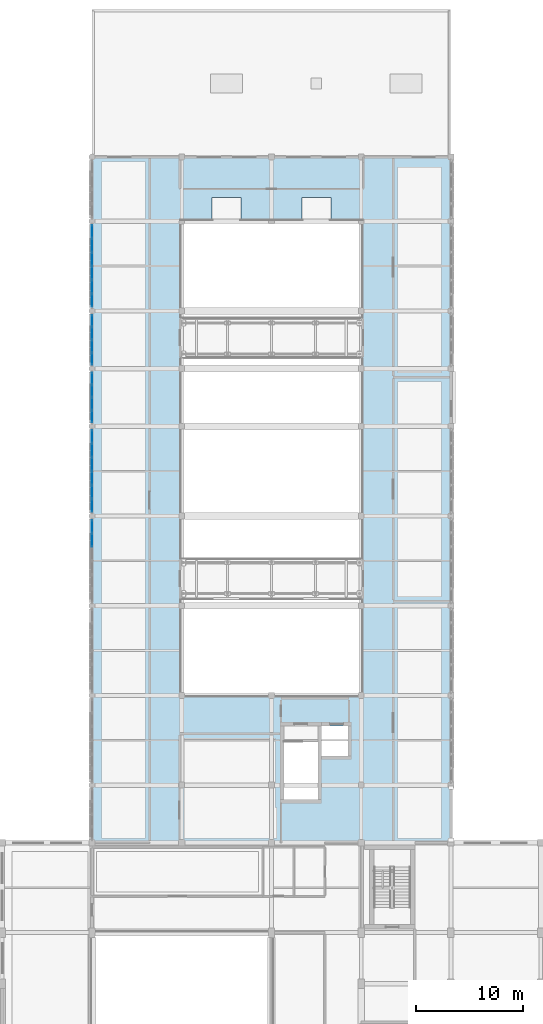
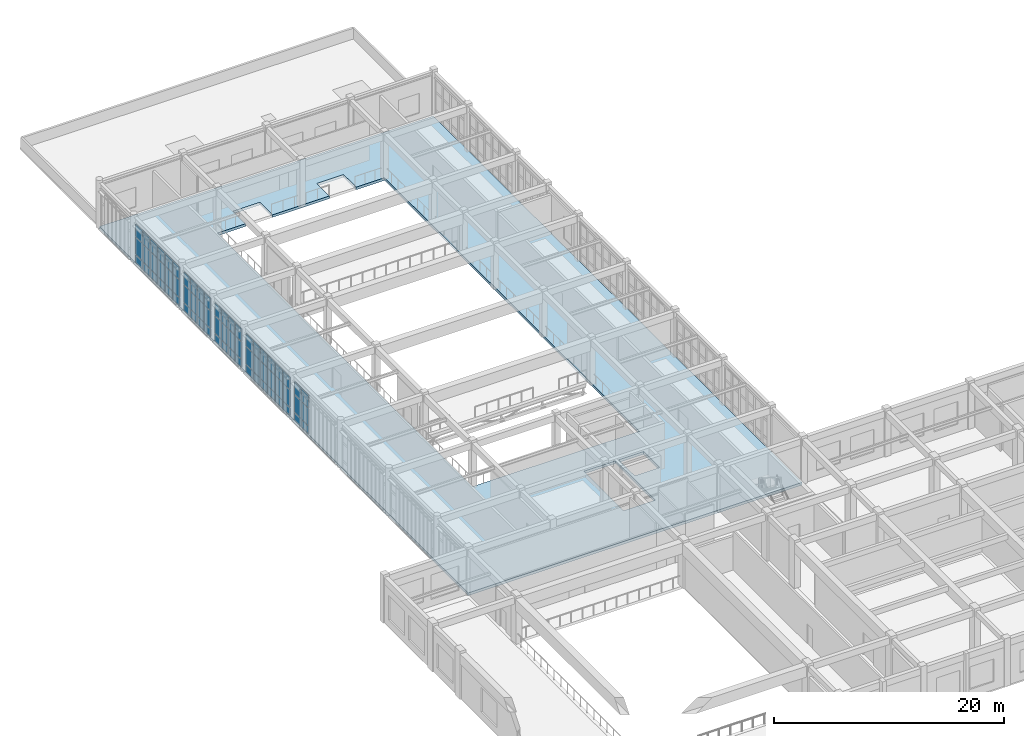
# One storey, part 47 of 77: 66 plates, 1 slab, 5 elements without a shape of their own.
"""IFC4 building model written with IfcOpenShell, lengths in metres."""

import ifcopenshell
import ifcopenshell.guid

model = None  # the IFC model being written
_history = None  # IfcOwnerHistory: only IFC2X3 demands one
_inside = {}  # id of a spatial element -> (the spatial element, [elements in it])
_under = {}  # id of a project, library or spatial element -> (it, [spatial elements below it])
_declared = {}  # id of a project -> (the project, [libraries it declares])
_typed = {}  # id of a type object -> (the type object, [elements of that type])
_made_of = {}  # id of a material, layer set ... -> (it, [elements and type objects made of it])


def new_model(schema):
    """Start an empty IFC model of exactly this schema.

    Asked for "IFC4X3", IfcOpenShell would pick the latest addendum, in which some entities
    have other attributes; the version numbers below select the first issue.
    IFC2X3 requires an IfcOwnerHistory on every rooted entity: one is made here for all.
    """
    global model, _history
    if schema == "IFC4X3":
        model = ifcopenshell.file(schema_version=(4, 3, 0, 0))
    else:
        model = ifcopenshell.file(schema=schema)
    _inside.clear()
    _under.clear()
    _declared.clear()
    _typed.clear()
    _made_of.clear()
    _history = None
    if model.schema == "IFC2X3":
        org = make("IfcOrganization", Name="unknown")
        user = make(
            "IfcPersonAndOrganization",
            ThePerson=make("IfcPerson", FamilyName="unknown"),
            TheOrganization=org,
        )
        app = make(
            "IfcApplication",
            ApplicationDeveloper=org,
            Version="unknown",
            ApplicationFullName="unknown",
            ApplicationIdentifier="unknown",
        )
        _history = make(
            "IfcOwnerHistory",
            OwningUser=user,
            OwningApplication=app,
            ChangeAction="ADDED",
            CreationDate=0,
        )
    return model


def make(cls, **values):
    """One entity of the class cls with the attributes given. An attribute that is None is left unset."""
    return model.create_entity(
        cls, **{name: value for name, value in values.items() if value is not None}
    )


def rooted(cls, **values):
    """An entity with a GlobalId (a new one), such as an element, a storey or a relation."""
    return make(cls, GlobalId=ifcopenshell.guid.new(), OwnerHistory=_history, **values)


def si_unit(unit_type, name, prefix=None):
    """IfcSIUnit, for example si_unit("LENGTHUNIT", "METRE", prefix="MILLI")."""
    return make("IfcSIUnit", UnitType=unit_type, Prefix=prefix, Name=name)


def assignment(units):
    """IfcUnitAssignment: the units of a project."""
    return None if units is None else make("IfcUnitAssignment", Units=units)


def point(xyz):
    """IfcCartesianPoint."""
    return None if xyz is None else make("IfcCartesianPoint", Coordinates=xyz)


def direction(xyz):
    """IfcDirection."""
    return None if xyz is None else make("IfcDirection", DirectionRatios=xyz)


def frame(location, z_axis=None, x_axis=None):
    """IfcAxis2Placement3D, a coordinate frame: its origin and axes. An axis left out is left unset."""
    return make(
        "IfcAxis2Placement3D",
        Location=point(location),
        Axis=direction(z_axis),
        RefDirection=direction(x_axis),
    )


def frame_2d(location, x_axis=None):
    """IfcAxis2Placement2D, a coordinate frame in the plane: its origin and x axis."""
    return make(
        "IfcAxis2Placement2D", Location=point(location), RefDirection=direction(x_axis)
    )


def origin():
    """The frame at (0, 0, 0) with its axes left unset."""
    return frame((0.0, 0.0, 0.0))


def origin_2d():
    """The frame at (0, 0) in the plane with its x axis left unset."""
    return frame_2d((0.0, 0.0))


def place(relative_to, where):
    """IfcLocalPlacement: puts the frame where relative to a parent placement (None: the world)."""
    return make(
        "IfcLocalPlacement", PlacementRelTo=relative_to, RelativePlacement=where
    )


def context(
    kind, dimensions, precision=None, world=None, true_north=None, identifier=None
):
    """IfcGeometricRepresentationContext, for example the 3D "Model" context."""
    return make(
        "IfcGeometricRepresentationContext",
        ContextIdentifier=identifier,
        ContextType=kind,
        CoordinateSpaceDimension=dimensions,
        Precision=precision,
        WorldCoordinateSystem=world,
        TrueNorth=true_north,
    )


def subcontext(parent, identifier, kind, view, scale=None):
    """IfcGeometricRepresentationSubContext, for example "Body" below "Model"."""
    return make(
        "IfcGeometricRepresentationSubContext",
        ContextIdentifier=identifier,
        ContextType=kind,
        ParentContext=parent,
        TargetScale=scale,
        TargetView=view,
    )


def project(units=None, contexts=None):
    """IfcProject with its units and contexts."""
    return rooted(
        "IfcProject",
        Name="project",
        RepresentationContexts=contexts,
        UnitsInContext=assignment(units),
    )


def spatial(cls, under=None, at=None, **own):
    """A site, building, storey or space (cls), placed at a placement, below another one or the project."""
    s = rooted(cls, ObjectPlacement=at, **own)
    if under is not None:
        _under.setdefault(under.id(), (under, []))[1].append(s)
    return s


def polyline(points):
    """IfcPolyline through the points."""
    return make("IfcPolyline", Points=[point(p) for p in points])


def profile(cls, at=None, kind="AREA", **sizes):
    """A parametric profile (cls). Its sizes go by their IFC names, for example OverallWidth=200.0."""
    return make(cls, ProfileType=kind, Position=at, **sizes)


def rectangle(**sizes):
    """IfcRectangleProfileDef."""
    return profile("IfcRectangleProfileDef", **sizes)


def outline(outer, holes=None, kind="AREA"):
    """IfcArbitraryClosedProfileDef: a profile drawn as a closed curve; with holes, ...WithVoids."""
    if holes is None:
        return make("IfcArbitraryClosedProfileDef", ProfileType=kind, OuterCurve=outer)
    return make(
        "IfcArbitraryProfileDefWithVoids",
        ProfileType=kind,
        OuterCurve=outer,
        InnerCurves=holes,
    )


def extrude(swept, where, along, depth):
    """IfcExtrudedAreaSolid: the profile swept, set in the frame where, extruded along a direction by depth."""
    return make(
        "IfcExtrudedAreaSolid",
        SweptArea=swept,
        Position=where,
        ExtrudedDirection=direction(along),
        Depth=depth,
    )


def shape(context_of_items, identifier, shape_type, items):
    """IfcShapeRepresentation: the items that make up one representation, for example the "Body"."""
    return make(
        "IfcShapeRepresentation",
        ContextOfItems=context_of_items,
        RepresentationIdentifier=identifier,
        RepresentationType=shape_type,
        Items=items,
    )


def material(Name=None, Category=None):
    """IfcMaterial."""
    return make("IfcMaterial", Name=Name, Category=Category)


def layer(
    of_material, thickness, ventilated=None, Name=None, Category=None, Priority=None
):
    """IfcMaterialLayer: one layer of a wall or slab, of a material (None: an air gap)."""
    return make(
        "IfcMaterialLayer",
        Material=of_material,
        LayerThickness=thickness,
        IsVentilated=ventilated,
        Name=Name,
        Category=Category,
        Priority=Priority,
    )


def layer_set(layers, Name=None):
    """IfcMaterialLayerSet."""
    return make("IfcMaterialLayerSet", MaterialLayers=layers, LayerSetName=Name)


def made_of(thing, what):
    """Note that an element or type object is made of a material, layer set ...; save() writes the relation."""
    if what is not None:
        _made_of.setdefault(what.id(), (what, []))[1].append(thing)
    return thing


def type_object(cls, material=None, **own):
    """A type object (cls), such as IfcWallType, which elements share."""
    return made_of(rooted(cls, **own), material)


def element(
    cls,
    number,
    at=None,
    inside=None,
    cuts=None,
    type_object=None,
    material=None,
    context=None,
    identifier="Body",
    shape_type=None,
    held_by="IfcProductDefinitionShape",
    body=None,
    shapes=None,
    **own,
):
    """One element of the class cls, such as IfcWall. Its Tag is "e" and its number.

    at: its placement. inside: the storey or other place that contains it. cuts: it is an
    opening in that element (IfcRelVoidsElement). A single representation is given by context,
    identifier, shape_type and body (its items); several are given by shapes. held_by: the class
    of the entity that holds the representations. save() writes the other relations.
    """
    e = rooted(cls, Tag="e%d" % number, ObjectPlacement=at, **own)
    if body is not None:
        shapes = [shape(context, identifier, shape_type, body)]
    if shapes is not None:
        e.Representation = make(held_by, Representations=shapes)
    if inside is not None:
        _inside.setdefault(inside.id(), (inside, []))[1].append(e)
    if cuts is not None:
        rooted(
            "IfcRelVoidsElement", RelatingBuildingElement=cuts, RelatedOpeningElement=e
        )
    if type_object is not None:
        _typed.setdefault(type_object.id(), (type_object, []))[1].append(e)
    return made_of(e, material)


def aggregate(whole, parts):
    """IfcRelAggregates: a whole, such as a stair, and the parts it consists of."""
    return rooted("IfcRelAggregates", RelatingObject=whole, RelatedObjects=parts)


def save(model, path):
    """Write the relations noted so far, then the file.

    IfcRelAggregates (storeys below a building ...), IfcRelContainedInSpatialStructure (elements
    in a storey), IfcRelDefinesByType, IfcRelAssociatesMaterial and IfcRelDeclares: one each for
    every whole, place, type object, material and project.
    """
    for whole, parts in _under.values():
        aggregate(whole, parts)
    for where, things in _inside.values():
        rooted(
            "IfcRelContainedInSpatialStructure",
            RelatedElements=things,
            RelatingStructure=where,
        )
    for kind, things in _typed.values():
        rooted("IfcRelDefinesByType", RelatedObjects=things, RelatingType=kind)
    for what, things in _made_of.values():
        rooted("IfcRelAssociatesMaterial", RelatedObjects=things, RelatingMaterial=what)
    for by, libraries in _declared.values():
        rooted("IfcRelDeclares", RelatingContext=by, RelatedDefinitions=libraries)
    model.write(path)


model = new_model("IFC4")

# Units and contexts
model_context = context("Model", 3, precision=1e-05, world=origin(), true_north=direction((0.0, 1.0)))
body_context = subcontext(model_context, "Body", "Model", "MODEL_VIEW")
ifc_project = project(units=[si_unit("LENGTHUNIT", "METRE"), si_unit("AREAUNIT", "SQUARE_METRE"), si_unit("VOLUMEUNIT", "CUBIC_METRE"), si_unit("PLANEANGLEUNIT", "RADIAN"), si_unit("MASSUNIT", "GRAM", prefix="KILO")], contexts=[model_context])

# Site, building, storey
site_placement = place(None, origin())
site = spatial("IfcSite", under=ifc_project, at=site_placement, CompositionType="ELEMENT")
building_placement = place(site_placement, origin())
building = spatial("IfcBuilding", under=site, at=building_placement, Name="Krzemoval Escarpment Law Courts", CompositionType="ELEMENT")
storey_placement = place(building_placement, frame((0.0, 0.0, 15.300048828125)))
storey = spatial("IfcBuildingStorey", under=building, at=storey_placement, Name="L03", CompositionType="ELEMENT", Elevation=15.300048828125)

# Curtain wall, plates
ifc_material_1 = material(Name="Aluminium 6063-T6", Category="aluminium")
ifc_layer_1 = layer(ifc_material_1, 0.280029296875)
ifc_layer_set_1 = layer_set([ifc_layer_1], Name="Aluminium 6063-T6")
curtain_wall_type = type_object("IfcCurtainWallType", Name="CW-HALL-5100", PredefinedType="USERDEFINED", material=ifc_layer_set_1)
curtain_wall_1_placement = place(storey_placement, origin())
curtain_wall_1 = element("IfcCurtainWall", 1, at=curtain_wall_1_placement, inside=storey, type_object=curtain_wall_type, Name="Unitised Curtain Wall FCW-L03-099", ObjectType="UNITISED_CURTAIN_WALL", PredefinedType="USERDEFINED")
ifc_material_2 = material(Name="Triple Glazing IGU", Category="glass")
ifc_layer_2 = layer(ifc_material_2, 0.053955078125)
ifc_layer_set_2 = layer_set([ifc_layer_2], Name="Triple Glazing IGU")
plate_type = type_object("IfcPlateType", Name="CWP-GLZ-54", PredefinedType="CURTAIN_PANEL", material=ifc_layer_set_2)
plate_1_placement = place(storey_placement, frame((8.39990234375, 63.75, 0.0849609375), z_axis=(0.0, 0.0, 1.0), x_axis=(0.0, 1.0, 0.0)))
plate_1 = element("IfcPlate", 2, at=plate_1_placement, type_object=plate_type, Name="FCW-L03-099 panel 5.1", PredefinedType="CURTAIN_PANEL", context=body_context, shape_type="SweptSolid", body=[
    extrude(rectangle(XDim=1.215087890625, YDim=0.053955078125, at=origin_2d()), origin(), (0.0, 0.0, 1.0), 0.7724609375),
])
plate_2_placement = place(storey_placement, frame((8.39990234375, 63.75, 0.9423828125), z_axis=(0.0, 0.0, 1.0), x_axis=(0.0, 1.0, 0.0)))
plate_2 = element("IfcPlate", 3, at=plate_2_placement, type_object=plate_type, Name="FCW-L03-099 panel 5.2", PredefinedType="CURTAIN_PANEL", context=body_context, shape_type="SweptSolid", body=[
    extrude(rectangle(XDim=1.215087890625, YDim=0.053955078125, at=origin_2d()), origin(), (0.0, 0.0, 1.0), 1.81494140625),
])
plate_3_placement = place(storey_placement, frame((8.39990234375, 63.75, 2.842529296875), z_axis=(0.0, 0.0, 1.0), x_axis=(0.0, 1.0, 0.0)))
plate_3 = element("IfcPlate", 4, at=plate_3_placement, type_object=plate_type, Name="FCW-L03-099 panel 5.3", PredefinedType="CURTAIN_PANEL", context=body_context, shape_type="SweptSolid", body=[
    extrude(rectangle(XDim=1.215087890625, YDim=0.053955078125, at=origin_2d()), origin(), (0.0, 0.0, 1.0), 1.3125),
])
plate_4_placement = place(storey_placement, frame((8.39990234375, 65.02880859375, 0.0849609375), z_axis=(0.0, 0.0, 1.0), x_axis=(0.0, 1.0, 0.0)))
plate_4 = element("IfcPlate", 5, at=plate_4_placement, type_object=plate_type, Name="FCW-L03-099 panel 6.1", PredefinedType="CURTAIN_PANEL", context=body_context, shape_type="SweptSolid", body=[
    extrude(rectangle(XDim=1.172607421875, YDim=0.053955078125, at=origin_2d()), origin(), (0.0, 0.0, 1.0), 0.7724609375),
])
plate_5_placement = place(storey_placement, frame((8.39990234375, 65.02880859375, 0.9423828125), z_axis=(0.0, 0.0, 1.0), x_axis=(0.0, 1.0, 0.0)))
plate_5 = element("IfcPlate", 6, at=plate_5_placement, type_object=plate_type, Name="FCW-L03-099 panel 6.2", PredefinedType="CURTAIN_PANEL", context=body_context, shape_type="SweptSolid", body=[
    extrude(rectangle(XDim=1.172607421875, YDim=0.053955078125, at=origin_2d()), origin(), (0.0, 0.0, 1.0), 1.81494140625),
])
plate_6_placement = place(storey_placement, frame((8.39990234375, 65.02880859375, 2.842529296875), z_axis=(0.0, 0.0, 1.0), x_axis=(0.0, 1.0, 0.0)))
plate_6 = element("IfcPlate", 7, at=plate_6_placement, type_object=plate_type, Name="FCW-L03-099 panel 6.3", PredefinedType="CURTAIN_PANEL", context=body_context, shape_type="SweptSolid", body=[
    extrude(rectangle(XDim=1.172607421875, YDim=0.053955078125, at=origin_2d()), origin(), (0.0, 0.0, 1.0), 1.3125),
])
aggregate(curtain_wall_1, [plate_1, plate_2, plate_3, plate_4, plate_5, plate_6])

curtain_wall_2_placement = place(storey_placement, origin())
curtain_wall_2 = element("IfcCurtainWall", 8, at=curtain_wall_2_placement, inside=storey, type_object=curtain_wall_type, Name="Unitised Curtain Wall FCW-L03-100", ObjectType="UNITISED_CURTAIN_WALL", PredefinedType="USERDEFINED")
plate_7_placement = place(storey_placement, frame((8.39990234375, 66.97119140625, 0.0849609375), z_axis=(0.0, 0.0, 1.0), x_axis=(0.0, 1.0, 0.0)))
plate_7 = element("IfcPlate", 9, at=plate_7_placement, type_object=plate_type, Name="FCW-L03-100 panel 1.1", PredefinedType="CURTAIN_PANEL", context=body_context, shape_type="SweptSolid", body=[
    extrude(rectangle(XDim=1.172607421875, YDim=0.053955078125, at=origin_2d()), origin(), (0.0, 0.0, 1.0), 0.7724609375),
])
plate_8_placement = place(storey_placement, frame((8.39990234375, 66.97119140625, 0.9423828125), z_axis=(0.0, 0.0, 1.0), x_axis=(0.0, 1.0, 0.0)))
plate_8 = element("IfcPlate", 10, at=plate_8_placement, type_object=plate_type, Name="FCW-L03-100 panel 1.2", PredefinedType="CURTAIN_PANEL", context=body_context, shape_type="SweptSolid", body=[
    extrude(rectangle(XDim=1.172607421875, YDim=0.053955078125, at=origin_2d()), origin(), (0.0, 0.0, 1.0), 1.81494140625),
])
plate_9_placement = place(storey_placement, frame((8.39990234375, 66.97119140625, 2.842529296875), z_axis=(0.0, 0.0, 1.0), x_axis=(0.0, 1.0, 0.0)))
plate_9 = element("IfcPlate", 11, at=plate_9_placement, type_object=plate_type, Name="FCW-L03-100 panel 1.3", PredefinedType="CURTAIN_PANEL", context=body_context, shape_type="SweptSolid", body=[
    extrude(rectangle(XDim=1.172607421875, YDim=0.053955078125, at=origin_2d()), origin(), (0.0, 0.0, 1.0), 1.3125),
])
plate_10_placement = place(storey_placement, frame((8.39990234375, 68.25, 0.0849609375), z_axis=(0.0, 0.0, 1.0), x_axis=(0.0, 1.0, 0.0)))
plate_10 = element("IfcPlate", 12, at=plate_10_placement, type_object=plate_type, Name="FCW-L03-100 panel 2.1", PredefinedType="CURTAIN_PANEL", context=body_context, shape_type="SweptSolid", body=[
    extrude(rectangle(XDim=1.215087890625, YDim=0.053955078125, at=origin_2d()), origin(), (0.0, 0.0, 1.0), 0.7724609375),
])
plate_11_placement = place(storey_placement, frame((8.39990234375, 68.25, 0.9423828125), z_axis=(0.0, 0.0, 1.0), x_axis=(0.0, 1.0, 0.0)))
plate_11 = element("IfcPlate", 13, at=plate_11_placement, type_object=plate_type, Name="FCW-L03-100 panel 2.2", PredefinedType="CURTAIN_PANEL", context=body_context, shape_type="SweptSolid", body=[
    extrude(rectangle(XDim=1.215087890625, YDim=0.053955078125, at=origin_2d()), origin(), (0.0, 0.0, 1.0), 1.81494140625),
])
plate_12_placement = place(storey_placement, frame((8.39990234375, 68.25, 2.842529296875), z_axis=(0.0, 0.0, 1.0), x_axis=(0.0, 1.0, 0.0)))
plate_12 = element("IfcPlate", 14, at=plate_12_placement, type_object=plate_type, Name="FCW-L03-100 panel 2.3", PredefinedType="CURTAIN_PANEL", context=body_context, shape_type="SweptSolid", body=[
    extrude(rectangle(XDim=1.215087890625, YDim=0.053955078125, at=origin_2d()), origin(), (0.0, 0.0, 1.0), 1.3125),
])
plate_13_placement = place(storey_placement, frame((8.39990234375, 69.550048828125, 0.0849609375), z_axis=(0.0, 0.0, 1.0), x_axis=(0.0, 1.0, 0.0)))
plate_13 = element("IfcPlate", 15, at=plate_13_placement, type_object=plate_type, Name="FCW-L03-100 panel 3.1", PredefinedType="CURTAIN_PANEL", context=body_context, shape_type="SweptSolid", body=[
    extrude(rectangle(XDim=1.215087890625, YDim=0.053955078125, at=origin_2d()), origin(), (0.0, 0.0, 1.0), 0.7724609375),
])
plate_14_placement = place(storey_placement, frame((8.39990234375, 69.550048828125, 0.9423828125), z_axis=(0.0, 0.0, 1.0), x_axis=(0.0, 1.0, 0.0)))
plate_14 = element("IfcPlate", 16, at=plate_14_placement, type_object=plate_type, Name="FCW-L03-100 panel 3.2", PredefinedType="CURTAIN_PANEL", context=body_context, shape_type="SweptSolid", body=[
    extrude(rectangle(XDim=1.215087890625, YDim=0.053955078125, at=origin_2d()), origin(), (0.0, 0.0, 1.0), 1.81494140625),
])
plate_15_placement = place(storey_placement, frame((8.39990234375, 69.550048828125, 2.842529296875), z_axis=(0.0, 0.0, 1.0), x_axis=(0.0, 1.0, 0.0)))
plate_15 = element("IfcPlate", 17, at=plate_15_placement, type_object=plate_type, Name="FCW-L03-100 panel 3.3", PredefinedType="CURTAIN_PANEL", context=body_context, shape_type="SweptSolid", body=[
    extrude(rectangle(XDim=1.215087890625, YDim=0.053955078125, at=origin_2d()), origin(), (0.0, 0.0, 1.0), 1.3125),
])
plate_16_placement = place(storey_placement, frame((8.39990234375, 70.85009765625, 0.0849609375), z_axis=(0.0, 0.0, 1.0), x_axis=(0.0, 1.0, 0.0)))
plate_16 = element("IfcPlate", 18, at=plate_16_placement, type_object=plate_type, Name="FCW-L03-100 panel 4.1", PredefinedType="CURTAIN_PANEL", context=body_context, shape_type="SweptSolid", body=[
    extrude(rectangle(XDim=1.215087890625, YDim=0.053955078125, at=origin_2d()), origin(), (0.0, 0.0, 1.0), 0.7724609375),
])
plate_17_placement = place(storey_placement, frame((8.39990234375, 70.85009765625, 0.9423828125), z_axis=(0.0, 0.0, 1.0), x_axis=(0.0, 1.0, 0.0)))
plate_17 = element("IfcPlate", 19, at=plate_17_placement, type_object=plate_type, Name="FCW-L03-100 panel 4.2", PredefinedType="CURTAIN_PANEL", context=body_context, shape_type="SweptSolid", body=[
    extrude(rectangle(XDim=1.215087890625, YDim=0.053955078125, at=origin_2d()), origin(), (0.0, 0.0, 1.0), 1.81494140625),
])
plate_18_placement = place(storey_placement, frame((8.39990234375, 70.85009765625, 2.842529296875), z_axis=(0.0, 0.0, 1.0), x_axis=(0.0, 1.0, 0.0)))
plate_18 = element("IfcPlate", 20, at=plate_18_placement, type_object=plate_type, Name="FCW-L03-100 panel 4.3", PredefinedType="CURTAIN_PANEL", context=body_context, shape_type="SweptSolid", body=[
    extrude(rectangle(XDim=1.215087890625, YDim=0.053955078125, at=origin_2d()), origin(), (0.0, 0.0, 1.0), 1.3125),
])
plate_19_placement = place(storey_placement, frame((8.39990234375, 72.14990234375, 0.0849609375), z_axis=(0.0, 0.0, 1.0), x_axis=(0.0, 1.0, 0.0)))
plate_19 = element("IfcPlate", 21, at=plate_19_placement, type_object=plate_type, Name="FCW-L03-100 panel 5.1", PredefinedType="CURTAIN_PANEL", context=body_context, shape_type="SweptSolid", body=[
    extrude(rectangle(XDim=1.215087890625, YDim=0.053955078125, at=origin_2d()), origin(), (0.0, 0.0, 1.0), 0.7724609375),
])
plate_20_placement = place(storey_placement, frame((8.39990234375, 72.14990234375, 0.9423828125), z_axis=(0.0, 0.0, 1.0), x_axis=(0.0, 1.0, 0.0)))
plate_20 = element("IfcPlate", 22, at=plate_20_placement, type_object=plate_type, Name="FCW-L03-100 panel 5.2", PredefinedType="CURTAIN_PANEL", context=body_context, shape_type="SweptSolid", body=[
    extrude(rectangle(XDim=1.215087890625, YDim=0.053955078125, at=origin_2d()), origin(), (0.0, 0.0, 1.0), 1.81494140625),
])
plate_21_placement = place(storey_placement, frame((8.39990234375, 72.14990234375, 2.842529296875), z_axis=(0.0, 0.0, 1.0), x_axis=(0.0, 1.0, 0.0)))
plate_21 = element("IfcPlate", 23, at=plate_21_placement, type_object=plate_type, Name="FCW-L03-100 panel 5.3", PredefinedType="CURTAIN_PANEL", context=body_context, shape_type="SweptSolid", body=[
    extrude(rectangle(XDim=1.215087890625, YDim=0.053955078125, at=origin_2d()), origin(), (0.0, 0.0, 1.0), 1.3125),
])
plate_22_placement = place(storey_placement, frame((8.39990234375, 73.4287109375, 0.0849609375), z_axis=(0.0, 0.0, 1.0), x_axis=(0.0, 1.0, 0.0)))
plate_22 = element("IfcPlate", 24, at=plate_22_placement, type_object=plate_type, Name="FCW-L03-100 panel 6.1", PredefinedType="CURTAIN_PANEL", context=body_context, shape_type="SweptSolid", body=[
    extrude(rectangle(XDim=1.172607421875, YDim=0.053955078125, at=origin_2d()), origin(), (0.0, 0.0, 1.0), 0.7724609375),
])
plate_23_placement = place(storey_placement, frame((8.39990234375, 73.4287109375, 0.9423828125), z_axis=(0.0, 0.0, 1.0), x_axis=(0.0, 1.0, 0.0)))
plate_23 = element("IfcPlate", 25, at=plate_23_placement, type_object=plate_type, Name="FCW-L03-100 panel 6.2", PredefinedType="CURTAIN_PANEL", context=body_context, shape_type="SweptSolid", body=[
    extrude(rectangle(XDim=1.172607421875, YDim=0.053955078125, at=origin_2d()), origin(), (0.0, 0.0, 1.0), 1.81494140625),
])
plate_24_placement = place(storey_placement, frame((8.39990234375, 73.4287109375, 2.842529296875), z_axis=(0.0, 0.0, 1.0), x_axis=(0.0, 1.0, 0.0)))
plate_24 = element("IfcPlate", 26, at=plate_24_placement, type_object=plate_type, Name="FCW-L03-100 panel 6.3", PredefinedType="CURTAIN_PANEL", context=body_context, shape_type="SweptSolid", body=[
    extrude(rectangle(XDim=1.172607421875, YDim=0.053955078125, at=origin_2d()), origin(), (0.0, 0.0, 1.0), 1.3125),
])
aggregate(curtain_wall_2, [plate_7, plate_8, plate_9, plate_10, plate_11, plate_12, plate_13, plate_14, plate_15, plate_16, plate_17, plate_18, plate_19, plate_20, plate_21, plate_22, plate_23, plate_24])

curtain_wall_3_placement = place(storey_placement, origin())
curtain_wall_3 = element("IfcCurtainWall", 27, at=curtain_wall_3_placement, inside=storey, type_object=curtain_wall_type, Name="Unitised Curtain Wall FCW-L03-101", ObjectType="UNITISED_CURTAIN_WALL", PredefinedType="USERDEFINED")
plate_25_placement = place(storey_placement, frame((8.39990234375, 75.3212890625, 0.0849609375), z_axis=(0.0, 0.0, 1.0), x_axis=(0.0, 1.0, 0.0)))
plate_25 = element("IfcPlate", 28, at=plate_25_placement, type_object=plate_type, Name="FCW-L03-101 panel 1.1", PredefinedType="CURTAIN_PANEL", context=body_context, shape_type="SweptSolid", body=[
    extrude(rectangle(XDim=1.072509765625, YDim=0.053955078125, at=origin_2d()), origin(), (0.0, 0.0, 1.0), 0.7724609375),
])
plate_26_placement = place(storey_placement, frame((8.39990234375, 75.3212890625, 0.9423828125), z_axis=(0.0, 0.0, 1.0), x_axis=(0.0, 1.0, 0.0)))
plate_26 = element("IfcPlate", 29, at=plate_26_placement, type_object=plate_type, Name="FCW-L03-101 panel 1.2", PredefinedType="CURTAIN_PANEL", context=body_context, shape_type="SweptSolid", body=[
    extrude(rectangle(XDim=1.072509765625, YDim=0.053955078125, at=origin_2d()), origin(), (0.0, 0.0, 1.0), 1.81494140625),
])
plate_27_placement = place(storey_placement, frame((8.39990234375, 75.3212890625, 2.842529296875), z_axis=(0.0, 0.0, 1.0), x_axis=(0.0, 1.0, 0.0)))
plate_27 = element("IfcPlate", 30, at=plate_27_placement, type_object=plate_type, Name="FCW-L03-101 panel 1.3", PredefinedType="CURTAIN_PANEL", context=body_context, shape_type="SweptSolid", body=[
    extrude(rectangle(XDim=1.072509765625, YDim=0.053955078125, at=origin_2d()), origin(), (0.0, 0.0, 1.0), 1.3125),
])
plate_28_placement = place(storey_placement, frame((8.39990234375, 76.5, 0.0849609375), z_axis=(0.0, 0.0, 1.0), x_axis=(0.0, 1.0, 0.0)))
plate_28 = element("IfcPlate", 31, at=plate_28_placement, type_object=plate_type, Name="FCW-L03-101 panel 2.1", PredefinedType="CURTAIN_PANEL", context=body_context, shape_type="SweptSolid", body=[
    extrude(rectangle(XDim=1.114990234375, YDim=0.053955078125, at=origin_2d()), origin(), (0.0, 0.0, 1.0), 0.7724609375),
])
plate_29_placement = place(storey_placement, frame((8.39990234375, 76.5, 0.9423828125), z_axis=(0.0, 0.0, 1.0), x_axis=(0.0, 1.0, 0.0)))
plate_29 = element("IfcPlate", 32, at=plate_29_placement, type_object=plate_type, Name="FCW-L03-101 panel 2.2", PredefinedType="CURTAIN_PANEL", context=body_context, shape_type="SweptSolid", body=[
    extrude(rectangle(XDim=1.114990234375, YDim=0.053955078125, at=origin_2d()), origin(), (0.0, 0.0, 1.0), 1.81494140625),
])
plate_30_placement = place(storey_placement, frame((8.39990234375, 76.5, 2.842529296875), z_axis=(0.0, 0.0, 1.0), x_axis=(0.0, 1.0, 0.0)))
plate_30 = element("IfcPlate", 33, at=plate_30_placement, type_object=plate_type, Name="FCW-L03-101 panel 2.3", PredefinedType="CURTAIN_PANEL", context=body_context, shape_type="SweptSolid", body=[
    extrude(rectangle(XDim=1.114990234375, YDim=0.053955078125, at=origin_2d()), origin(), (0.0, 0.0, 1.0), 1.3125),
])
plate_31_placement = place(storey_placement, frame((8.39990234375, 77.699951171875, 0.0849609375), z_axis=(0.0, 0.0, 1.0), x_axis=(0.0, 1.0, 0.0)))
plate_31 = element("IfcPlate", 34, at=plate_31_placement, type_object=plate_type, Name="FCW-L03-101 panel 3.1", PredefinedType="CURTAIN_PANEL", context=body_context, shape_type="SweptSolid", body=[
    extrude(rectangle(XDim=1.114990234375, YDim=0.053955078125, at=origin_2d()), origin(), (0.0, 0.0, 1.0), 0.7724609375),
])
plate_32_placement = place(storey_placement, frame((8.39990234375, 77.699951171875, 0.9423828125), z_axis=(0.0, 0.0, 1.0), x_axis=(0.0, 1.0, 0.0)))
plate_32 = element("IfcPlate", 35, at=plate_32_placement, type_object=plate_type, Name="FCW-L03-101 panel 3.2", PredefinedType="CURTAIN_PANEL", context=body_context, shape_type="SweptSolid", body=[
    extrude(rectangle(XDim=1.114990234375, YDim=0.053955078125, at=origin_2d()), origin(), (0.0, 0.0, 1.0), 1.81494140625),
])
plate_33_placement = place(storey_placement, frame((8.39990234375, 77.699951171875, 2.842529296875), z_axis=(0.0, 0.0, 1.0), x_axis=(0.0, 1.0, 0.0)))
plate_33 = element("IfcPlate", 36, at=plate_33_placement, type_object=plate_type, Name="FCW-L03-101 panel 3.3", PredefinedType="CURTAIN_PANEL", context=body_context, shape_type="SweptSolid", body=[
    extrude(rectangle(XDim=1.114990234375, YDim=0.053955078125, at=origin_2d()), origin(), (0.0, 0.0, 1.0), 1.3125),
])
plate_34_placement = place(storey_placement, frame((8.39990234375, 78.878662109375, 0.0849609375), z_axis=(0.0, 0.0, 1.0), x_axis=(0.0, 1.0, 0.0)))
plate_34 = element("IfcPlate", 37, at=plate_34_placement, type_object=plate_type, Name="FCW-L03-101 panel 4.1", PredefinedType="CURTAIN_PANEL", context=body_context, shape_type="SweptSolid", body=[
    extrude(rectangle(XDim=1.072509765625, YDim=0.053955078125, at=origin_2d()), origin(), (0.0, 0.0, 1.0), 0.7724609375),
])
plate_35_placement = place(storey_placement, frame((8.39990234375, 78.878662109375, 0.9423828125), z_axis=(0.0, 0.0, 1.0), x_axis=(0.0, 1.0, 0.0)))
plate_35 = element("IfcPlate", 38, at=plate_35_placement, type_object=plate_type, Name="FCW-L03-101 panel 4.2", PredefinedType="CURTAIN_PANEL", context=body_context, shape_type="SweptSolid", body=[
    extrude(rectangle(XDim=1.072509765625, YDim=0.053955078125, at=origin_2d()), origin(), (0.0, 0.0, 1.0), 1.81494140625),
])
plate_36_placement = place(storey_placement, frame((8.39990234375, 78.878662109375, 2.842529296875), z_axis=(0.0, 0.0, 1.0), x_axis=(0.0, 1.0, 0.0)))
plate_36 = element("IfcPlate", 39, at=plate_36_placement, type_object=plate_type, Name="FCW-L03-101 panel 4.3", PredefinedType="CURTAIN_PANEL", context=body_context, shape_type="SweptSolid", body=[
    extrude(rectangle(XDim=1.072509765625, YDim=0.053955078125, at=origin_2d()), origin(), (0.0, 0.0, 1.0), 1.3125),
])
aggregate(curtain_wall_3, [plate_25, plate_26, plate_27, plate_28, plate_29, plate_30, plate_31, plate_32, plate_33, plate_34, plate_35, plate_36])

curtain_wall_4_placement = place(storey_placement, origin())
curtain_wall_4 = element("IfcCurtainWall", 40, at=curtain_wall_4_placement, inside=storey, type_object=curtain_wall_type, Name="Unitised Curtain Wall FCW-L03-102", ObjectType="UNITISED_CURTAIN_WALL", PredefinedType="USERDEFINED")
plate_37_placement = place(storey_placement, frame((8.39990234375, 80.72119140625, 0.0849609375), z_axis=(0.0, 0.0, 1.0), x_axis=(0.0, 1.0, 0.0)))
plate_37 = element("IfcPlate", 41, at=plate_37_placement, type_object=plate_type, Name="FCW-L03-102 panel 1.1", PredefinedType="CURTAIN_PANEL", context=body_context, shape_type="SweptSolid", body=[
    extrude(rectangle(XDim=1.072509765625, YDim=0.053955078125, at=origin_2d()), origin(), (0.0, 0.0, 1.0), 0.7724609375),
])
plate_38_placement = place(storey_placement, frame((8.39990234375, 80.72119140625, 0.9423828125), z_axis=(0.0, 0.0, 1.0), x_axis=(0.0, 1.0, 0.0)))
plate_38 = element("IfcPlate", 42, at=plate_38_placement, type_object=plate_type, Name="FCW-L03-102 panel 1.2", PredefinedType="CURTAIN_PANEL", context=body_context, shape_type="SweptSolid", body=[
    extrude(rectangle(XDim=1.072509765625, YDim=0.053955078125, at=origin_2d()), origin(), (0.0, 0.0, 1.0), 1.81494140625),
])
plate_39_placement = place(storey_placement, frame((8.39990234375, 80.72119140625, 2.842529296875), z_axis=(0.0, 0.0, 1.0), x_axis=(0.0, 1.0, 0.0)))
plate_39 = element("IfcPlate", 43, at=plate_39_placement, type_object=plate_type, Name="FCW-L03-102 panel 1.3", PredefinedType="CURTAIN_PANEL", context=body_context, shape_type="SweptSolid", body=[
    extrude(rectangle(XDim=1.072509765625, YDim=0.053955078125, at=origin_2d()), origin(), (0.0, 0.0, 1.0), 1.3125),
])
plate_40_placement = place(storey_placement, frame((8.39990234375, 81.89990234375, 0.0849609375), z_axis=(0.0, 0.0, 1.0), x_axis=(0.0, 1.0, 0.0)))
plate_40 = element("IfcPlate", 44, at=plate_40_placement, type_object=plate_type, Name="FCW-L03-102 panel 2.1", PredefinedType="CURTAIN_PANEL", context=body_context, shape_type="SweptSolid", body=[
    extrude(rectangle(XDim=1.114990234375, YDim=0.053955078125, at=origin_2d()), origin(), (0.0, 0.0, 1.0), 0.7724609375),
])
plate_41_placement = place(storey_placement, frame((8.39990234375, 81.89990234375, 0.9423828125), z_axis=(0.0, 0.0, 1.0), x_axis=(0.0, 1.0, 0.0)))
plate_41 = element("IfcPlate", 45, at=plate_41_placement, type_object=plate_type, Name="FCW-L03-102 panel 2.2", PredefinedType="CURTAIN_PANEL", context=body_context, shape_type="SweptSolid", body=[
    extrude(rectangle(XDim=1.114990234375, YDim=0.053955078125, at=origin_2d()), origin(), (0.0, 0.0, 1.0), 1.81494140625),
])
plate_42_placement = place(storey_placement, frame((8.39990234375, 81.89990234375, 2.842529296875), z_axis=(0.0, 0.0, 1.0), x_axis=(0.0, 1.0, 0.0)))
plate_42 = element("IfcPlate", 46, at=plate_42_placement, type_object=plate_type, Name="FCW-L03-102 panel 2.3", PredefinedType="CURTAIN_PANEL", context=body_context, shape_type="SweptSolid", body=[
    extrude(rectangle(XDim=1.114990234375, YDim=0.053955078125, at=origin_2d()), origin(), (0.0, 0.0, 1.0), 1.3125),
])
plate_43_placement = place(storey_placement, frame((8.39990234375, 83.10009765625, 0.0849609375), z_axis=(0.0, 0.0, 1.0), x_axis=(0.0, 1.0, 0.0)))
plate_43 = element("IfcPlate", 47, at=plate_43_placement, type_object=plate_type, Name="FCW-L03-102 panel 3.1", PredefinedType="CURTAIN_PANEL", context=body_context, shape_type="SweptSolid", body=[
    extrude(rectangle(XDim=1.114990234375, YDim=0.053955078125, at=origin_2d()), origin(), (0.0, 0.0, 1.0), 0.7724609375),
])
plate_44_placement = place(storey_placement, frame((8.39990234375, 83.10009765625, 0.9423828125), z_axis=(0.0, 0.0, 1.0), x_axis=(0.0, 1.0, 0.0)))
plate_44 = element("IfcPlate", 48, at=plate_44_placement, type_object=plate_type, Name="FCW-L03-102 panel 3.2", PredefinedType="CURTAIN_PANEL", context=body_context, shape_type="SweptSolid", body=[
    extrude(rectangle(XDim=1.114990234375, YDim=0.053955078125, at=origin_2d()), origin(), (0.0, 0.0, 1.0), 1.81494140625),
])
plate_45_placement = place(storey_placement, frame((8.39990234375, 83.10009765625, 2.842529296875), z_axis=(0.0, 0.0, 1.0), x_axis=(0.0, 1.0, 0.0)))
plate_45 = element("IfcPlate", 49, at=plate_45_placement, type_object=plate_type, Name="FCW-L03-102 panel 3.3", PredefinedType="CURTAIN_PANEL", context=body_context, shape_type="SweptSolid", body=[
    extrude(rectangle(XDim=1.114990234375, YDim=0.053955078125, at=origin_2d()), origin(), (0.0, 0.0, 1.0), 1.3125),
])
plate_46_placement = place(storey_placement, frame((8.39990234375, 84.27880859375, 0.0849609375), z_axis=(0.0, 0.0, 1.0), x_axis=(0.0, 1.0, 0.0)))
plate_46 = element("IfcPlate", 50, at=plate_46_placement, type_object=plate_type, Name="FCW-L03-102 panel 4.1", PredefinedType="CURTAIN_PANEL", context=body_context, shape_type="SweptSolid", body=[
    extrude(rectangle(XDim=1.072509765625, YDim=0.053955078125, at=origin_2d()), origin(), (0.0, 0.0, 1.0), 0.7724609375),
])
plate_47_placement = place(storey_placement, frame((8.39990234375, 84.27880859375, 0.9423828125), z_axis=(0.0, 0.0, 1.0), x_axis=(0.0, 1.0, 0.0)))
plate_47 = element("IfcPlate", 51, at=plate_47_placement, type_object=plate_type, Name="FCW-L03-102 panel 4.2", PredefinedType="CURTAIN_PANEL", context=body_context, shape_type="SweptSolid", body=[
    extrude(rectangle(XDim=1.072509765625, YDim=0.053955078125, at=origin_2d()), origin(), (0.0, 0.0, 1.0), 1.81494140625),
])
plate_48_placement = place(storey_placement, frame((8.39990234375, 84.27880859375, 2.842529296875), z_axis=(0.0, 0.0, 1.0), x_axis=(0.0, 1.0, 0.0)))
plate_48 = element("IfcPlate", 52, at=plate_48_placement, type_object=plate_type, Name="FCW-L03-102 panel 4.3", PredefinedType="CURTAIN_PANEL", context=body_context, shape_type="SweptSolid", body=[
    extrude(rectangle(XDim=1.072509765625, YDim=0.053955078125, at=origin_2d()), origin(), (0.0, 0.0, 1.0), 1.3125),
])
aggregate(curtain_wall_4, [plate_37, plate_38, plate_39, plate_40, plate_41, plate_42, plate_43, plate_44, plate_45, plate_46, plate_47, plate_48])

curtain_wall_5_placement = place(storey_placement, origin())
curtain_wall_5 = element("IfcCurtainWall", 53, at=curtain_wall_5_placement, inside=storey, type_object=curtain_wall_type, Name="Unitised Curtain Wall FCW-L03-103", ObjectType="UNITISED_CURTAIN_WALL", PredefinedType="USERDEFINED")
plate_49_placement = place(storey_placement, frame((8.39990234375, 86.171142578125, 0.0849609375), z_axis=(0.0, 0.0, 1.0), x_axis=(0.0, 1.0, 0.0)))
plate_49 = element("IfcPlate", 54, at=plate_49_placement, type_object=plate_type, Name="FCW-L03-103 panel 1.1", PredefinedType="CURTAIN_PANEL", context=body_context, shape_type="SweptSolid", body=[
    extrude(rectangle(XDim=1.172607421875, YDim=0.053955078125, at=origin_2d()), origin(), (0.0, 0.0, 1.0), 0.7724609375),
])
plate_50_placement = place(storey_placement, frame((8.39990234375, 86.171142578125, 0.9423828125), z_axis=(0.0, 0.0, 1.0), x_axis=(0.0, 1.0, 0.0)))
plate_50 = element("IfcPlate", 55, at=plate_50_placement, type_object=plate_type, Name="FCW-L03-103 panel 1.2", PredefinedType="CURTAIN_PANEL", context=body_context, shape_type="SweptSolid", body=[
    extrude(rectangle(XDim=1.172607421875, YDim=0.053955078125, at=origin_2d()), origin(), (0.0, 0.0, 1.0), 1.81494140625),
])
plate_51_placement = place(storey_placement, frame((8.39990234375, 86.171142578125, 2.842529296875), z_axis=(0.0, 0.0, 1.0), x_axis=(0.0, 1.0, 0.0)))
plate_51 = element("IfcPlate", 56, at=plate_51_placement, type_object=plate_type, Name="FCW-L03-103 panel 1.3", PredefinedType="CURTAIN_PANEL", context=body_context, shape_type="SweptSolid", body=[
    extrude(rectangle(XDim=1.172607421875, YDim=0.053955078125, at=origin_2d()), origin(), (0.0, 0.0, 1.0), 1.3125),
])
plate_52_placement = place(storey_placement, frame((8.39990234375, 87.449951171875, 0.0849609375), z_axis=(0.0, 0.0, 1.0), x_axis=(0.0, 1.0, 0.0)))
plate_52 = element("IfcPlate", 57, at=plate_52_placement, type_object=plate_type, Name="FCW-L03-103 panel 2.1", PredefinedType="CURTAIN_PANEL", context=body_context, shape_type="SweptSolid", body=[
    extrude(rectangle(XDim=1.215087890625, YDim=0.053955078125, at=origin_2d()), origin(), (0.0, 0.0, 1.0), 0.7724609375),
])
plate_53_placement = place(storey_placement, frame((8.39990234375, 87.449951171875, 0.9423828125), z_axis=(0.0, 0.0, 1.0), x_axis=(0.0, 1.0, 0.0)))
plate_53 = element("IfcPlate", 58, at=plate_53_placement, type_object=plate_type, Name="FCW-L03-103 panel 2.2", PredefinedType="CURTAIN_PANEL", context=body_context, shape_type="SweptSolid", body=[
    extrude(rectangle(XDim=1.215087890625, YDim=0.053955078125, at=origin_2d()), origin(), (0.0, 0.0, 1.0), 1.81494140625),
])
plate_54_placement = place(storey_placement, frame((8.39990234375, 87.449951171875, 2.842529296875), z_axis=(0.0, 0.0, 1.0), x_axis=(0.0, 1.0, 0.0)))
plate_54 = element("IfcPlate", 59, at=plate_54_placement, type_object=plate_type, Name="FCW-L03-103 panel 2.3", PredefinedType="CURTAIN_PANEL", context=body_context, shape_type="SweptSolid", body=[
    extrude(rectangle(XDim=1.215087890625, YDim=0.053955078125, at=origin_2d()), origin(), (0.0, 0.0, 1.0), 1.3125),
])
plate_55_placement = place(storey_placement, frame((8.39990234375, 88.75, 0.0849609375), z_axis=(0.0, 0.0, 1.0), x_axis=(0.0, 1.0, 0.0)))
plate_55 = element("IfcPlate", 60, at=plate_55_placement, type_object=plate_type, Name="FCW-L03-103 panel 3.1", PredefinedType="CURTAIN_PANEL", context=body_context, shape_type="SweptSolid", body=[
    extrude(rectangle(XDim=1.215087890625, YDim=0.053955078125, at=origin_2d()), origin(), (0.0, 0.0, 1.0), 0.7724609375),
])
plate_56_placement = place(storey_placement, frame((8.39990234375, 88.75, 0.9423828125), z_axis=(0.0, 0.0, 1.0), x_axis=(0.0, 1.0, 0.0)))
plate_56 = element("IfcPlate", 61, at=plate_56_placement, type_object=plate_type, Name="FCW-L03-103 panel 3.2", PredefinedType="CURTAIN_PANEL", context=body_context, shape_type="SweptSolid", body=[
    extrude(rectangle(XDim=1.215087890625, YDim=0.053955078125, at=origin_2d()), origin(), (0.0, 0.0, 1.0), 1.81494140625),
])
plate_57_placement = place(storey_placement, frame((8.39990234375, 88.75, 2.842529296875), z_axis=(0.0, 0.0, 1.0), x_axis=(0.0, 1.0, 0.0)))
plate_57 = element("IfcPlate", 62, at=plate_57_placement, type_object=plate_type, Name="FCW-L03-103 panel 3.3", PredefinedType="CURTAIN_PANEL", context=body_context, shape_type="SweptSolid", body=[
    extrude(rectangle(XDim=1.215087890625, YDim=0.053955078125, at=origin_2d()), origin(), (0.0, 0.0, 1.0), 1.3125),
])
plate_58_placement = place(storey_placement, frame((8.39990234375, 90.050048828125, 0.0849609375), z_axis=(0.0, 0.0, 1.0), x_axis=(0.0, 1.0, 0.0)))
plate_58 = element("IfcPlate", 63, at=plate_58_placement, type_object=plate_type, Name="FCW-L03-103 panel 4.1", PredefinedType="CURTAIN_PANEL", context=body_context, shape_type="SweptSolid", body=[
    extrude(rectangle(XDim=1.215087890625, YDim=0.053955078125, at=origin_2d()), origin(), (0.0, 0.0, 1.0), 0.7724609375),
])
plate_59_placement = place(storey_placement, frame((8.39990234375, 90.050048828125, 0.9423828125), z_axis=(0.0, 0.0, 1.0), x_axis=(0.0, 1.0, 0.0)))
plate_59 = element("IfcPlate", 64, at=plate_59_placement, type_object=plate_type, Name="FCW-L03-103 panel 4.2", PredefinedType="CURTAIN_PANEL", context=body_context, shape_type="SweptSolid", body=[
    extrude(rectangle(XDim=1.215087890625, YDim=0.053955078125, at=origin_2d()), origin(), (0.0, 0.0, 1.0), 1.81494140625),
])
plate_60_placement = place(storey_placement, frame((8.39990234375, 90.050048828125, 2.842529296875), z_axis=(0.0, 0.0, 1.0), x_axis=(0.0, 1.0, 0.0)))
plate_60 = element("IfcPlate", 65, at=plate_60_placement, type_object=plate_type, Name="FCW-L03-103 panel 4.3", PredefinedType="CURTAIN_PANEL", context=body_context, shape_type="SweptSolid", body=[
    extrude(rectangle(XDim=1.215087890625, YDim=0.053955078125, at=origin_2d()), origin(), (0.0, 0.0, 1.0), 1.3125),
])
plate_61_placement = place(storey_placement, frame((8.39990234375, 91.35009765625, 0.0849609375), z_axis=(0.0, 0.0, 1.0), x_axis=(0.0, 1.0, 0.0)))
plate_61 = element("IfcPlate", 66, at=plate_61_placement, type_object=plate_type, Name="FCW-L03-103 panel 5.1", PredefinedType="CURTAIN_PANEL", context=body_context, shape_type="SweptSolid", body=[
    extrude(rectangle(XDim=1.215087890625, YDim=0.053955078125, at=origin_2d()), origin(), (0.0, 0.0, 1.0), 0.7724609375),
])
plate_62_placement = place(storey_placement, frame((8.39990234375, 91.35009765625, 0.9423828125), z_axis=(0.0, 0.0, 1.0), x_axis=(0.0, 1.0, 0.0)))
plate_62 = element("IfcPlate", 67, at=plate_62_placement, type_object=plate_type, Name="FCW-L03-103 panel 5.2", PredefinedType="CURTAIN_PANEL", context=body_context, shape_type="SweptSolid", body=[
    extrude(rectangle(XDim=1.215087890625, YDim=0.053955078125, at=origin_2d()), origin(), (0.0, 0.0, 1.0), 1.81494140625),
])
plate_63_placement = place(storey_placement, frame((8.39990234375, 91.35009765625, 2.842529296875), z_axis=(0.0, 0.0, 1.0), x_axis=(0.0, 1.0, 0.0)))
plate_63 = element("IfcPlate", 68, at=plate_63_placement, type_object=plate_type, Name="FCW-L03-103 panel 5.3", PredefinedType="CURTAIN_PANEL", context=body_context, shape_type="SweptSolid", body=[
    extrude(rectangle(XDim=1.215087890625, YDim=0.053955078125, at=origin_2d()), origin(), (0.0, 0.0, 1.0), 1.3125),
])
plate_64_placement = place(storey_placement, frame((8.39990234375, 92.628662109375, 0.0849609375), z_axis=(0.0, 0.0, 1.0), x_axis=(0.0, 1.0, 0.0)))
plate_64 = element("IfcPlate", 69, at=plate_64_placement, type_object=plate_type, Name="FCW-L03-103 panel 6.1", PredefinedType="CURTAIN_PANEL", context=body_context, shape_type="SweptSolid", body=[
    extrude(rectangle(XDim=1.172607421875, YDim=0.053955078125, at=origin_2d()), origin(), (0.0, 0.0, 1.0), 0.7724609375),
])
plate_65_placement = place(storey_placement, frame((8.39990234375, 92.628662109375, 0.9423828125), z_axis=(0.0, 0.0, 1.0), x_axis=(0.0, 1.0, 0.0)))
plate_65 = element("IfcPlate", 70, at=plate_65_placement, type_object=plate_type, Name="FCW-L03-103 panel 6.2", PredefinedType="CURTAIN_PANEL", context=body_context, shape_type="SweptSolid", body=[
    extrude(rectangle(XDim=1.172607421875, YDim=0.053955078125, at=origin_2d()), origin(), (0.0, 0.0, 1.0), 1.81494140625),
])
plate_66_placement = place(storey_placement, frame((8.39990234375, 92.628662109375, 2.842529296875), z_axis=(0.0, 0.0, 1.0), x_axis=(0.0, 1.0, 0.0)))
plate_66 = element("IfcPlate", 71, at=plate_66_placement, type_object=plate_type, Name="FCW-L03-103 panel 6.3", PredefinedType="CURTAIN_PANEL", context=body_context, shape_type="SweptSolid", body=[
    extrude(rectangle(XDim=1.172607421875, YDim=0.053955078125, at=origin_2d()), origin(), (0.0, 0.0, 1.0), 1.3125),
])
aggregate(curtain_wall_5, [plate_49, plate_50, plate_51, plate_52, plate_53, plate_54, plate_55, plate_56, plate_57, plate_58, plate_59, plate_60, plate_61, plate_62, plate_63, plate_64, plate_65, plate_66])

# Slab
ifc_material_3 = material(Name="Concrete C50/60", Category="concrete")
ifc_layer_3 = layer(ifc_material_3, 0.280029296875)
ifc_layer_set_3 = layer_set([ifc_layer_3], Name="Concrete C50/60")
slab_type = type_object("IfcSlabType", Name="SL-PT-280", PredefinedType="FLOOR", material=ifc_layer_set_3)
slab_placement = place(storey_placement, frame((0.0, 0.0, -0.280029296875)))
element("IfcSlab", 72, at=slab_placement, inside=storey, type_object=slab_type, Name="Floor Slab SL-L03-V4-040", PredefinedType="FLOOR", context=body_context, shape_type="SweptSolid", body=[
    extrude(outline(polyline([(8.39990234375, 99.60009765625), (41.9599609375, 99.60009765625), (41.9599609375, 35.39990234375), (8.39990234375, 35.39990234375), (8.39990234375, 99.60009765625)]), holes=[polyline([(19.64990234375, 93.60009765625), (16.800048828125, 93.60009765625), (16.800048828125, 49.199951171875), (33.60009765625, 49.199951171875), (33.60009765625, 93.60009765625), (30.75, 93.60009765625), (30.75, 95.800048828125), (28.050048828125, 95.800048828125), (28.050048828125, 93.60009765625), (22.35009765625, 93.60009765625), (22.35009765625, 95.800048828125), (19.64990234375, 95.800048828125), (19.64990234375, 93.60009765625)]), polyline([(29.85009765625, 46.35009765625), (29.85009765625, 43.550048828125), (32.35009765625, 43.550048828125), (32.35009765625, 46.35009765625), (29.85009765625, 46.35009765625)]), polyline([(29.550048828125, 46.35009765625), (26.35009765625, 46.35009765625), (26.35009765625, 39.449951171875), (29.550048828125, 39.449951171875), (29.550048828125, 46.35009765625)])]), origin(), (0.0, 0.0, 1.0), 0.280029296875),
])

save(model, "model.ifc")
